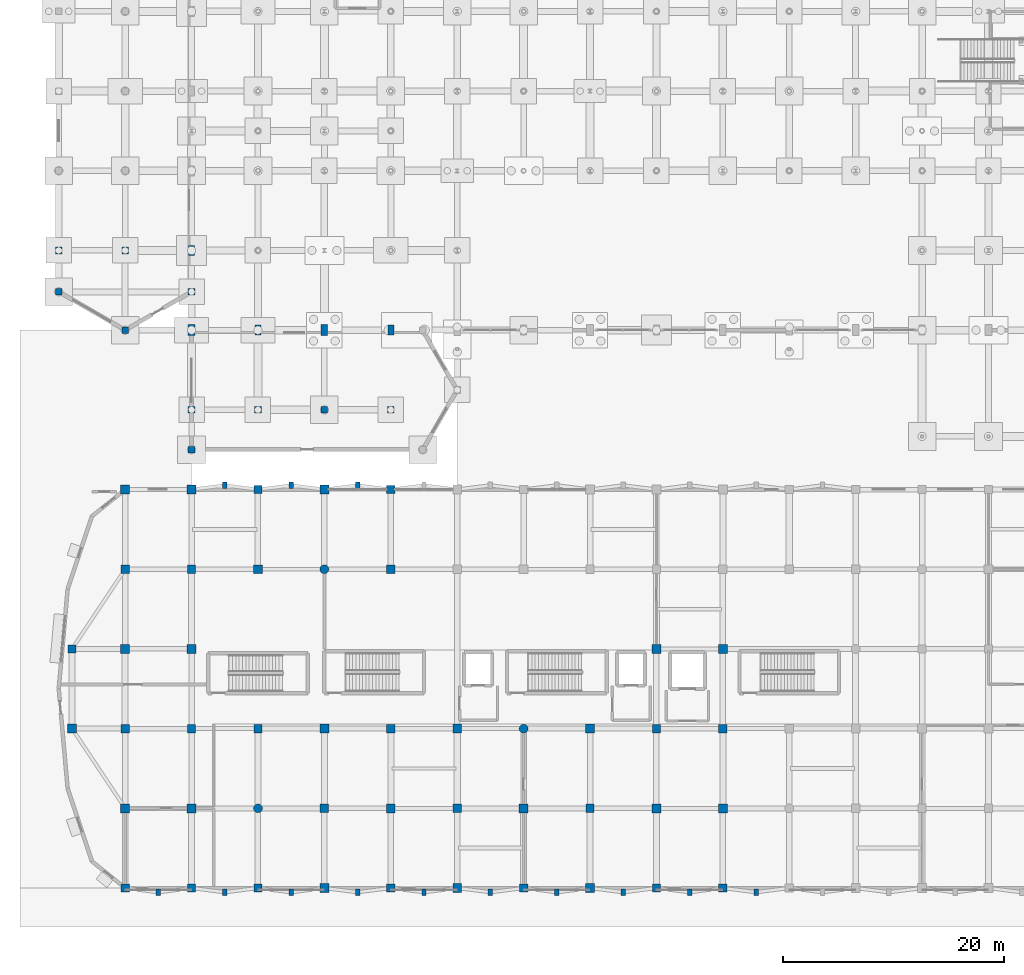
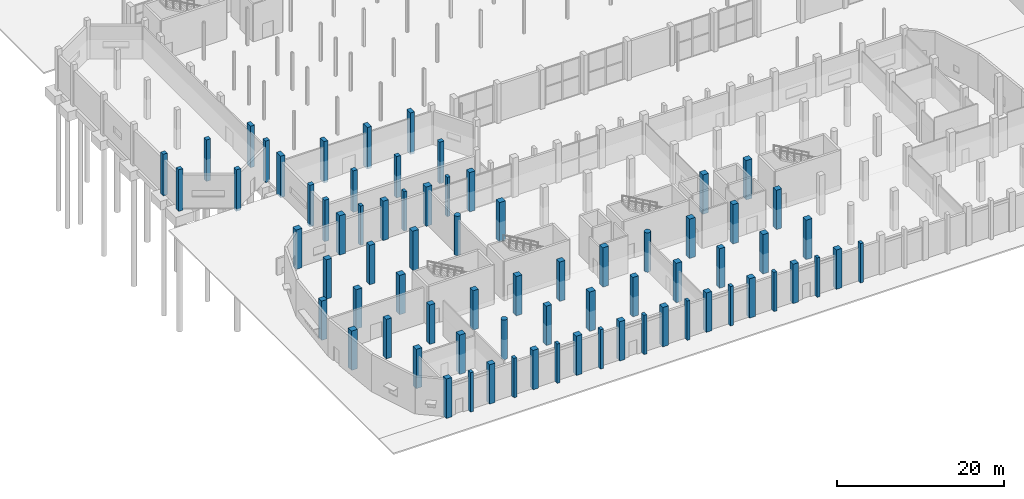
# One storey, part 14 of 103: 74 columns.
"""IFC4 building model written with IfcOpenShell, lengths in metres."""

from ifc_helpers import new_model, si_unit, direction, frame, origin, origin_2d, place, context, subcontext, project, spatial, rectangle, circle, extrude, material, material_profile, profile_set, type_object, element, save


model = new_model("IFC4")

# Units and contexts
model_context = context("Model", 3, precision=1e-05, world=origin(), true_north=direction((0.0, 1.0)))
body_context = subcontext(model_context, "Body", "Model", "MODEL_VIEW")
ifc_project = project(units=[si_unit("LENGTHUNIT", "METRE"), si_unit("AREAUNIT", "SQUARE_METRE"), si_unit("VOLUMEUNIT", "CUBIC_METRE"), si_unit("PLANEANGLEUNIT", "RADIAN"), si_unit("MASSUNIT", "GRAM", prefix="KILO")], contexts=[model_context])

# Site, building, storey
site_placement = place(None, origin())
site = spatial("IfcSite", under=ifc_project, at=site_placement, CompositionType="ELEMENT")
building_placement = place(site_placement, origin())
building = spatial("IfcBuilding", under=site, at=building_placement, Name="Dunvalen Ferry Terminal", CompositionType="ELEMENT")
storey_placement = place(building_placement, origin())
storey = spatial("IfcBuildingStorey", under=building, at=storey_placement, Name="L00", CompositionType="ELEMENT", Elevation=0.0)

# Columns
ifc_material = material(Name="Concrete C40/50", Category="concrete")
ifc_material_profile_1 = material_profile(ifc_material, circle(Radius=0.39990234375, at=origin_2d()), Name="Concrete C40/50")
ifc_profile_set_1 = profile_set([ifc_material_profile_1], Name="Concrete C40/50")
column_type_1 = type_object("IfcColumnType", Name="STR-COL-D800", PredefinedType="COLUMN", material=ifc_profile_set_1)
for number, where, z_axis, x_axis, name in (
    (1, (18.0, 7.199951171875, 0.0), (0.0, 0.0, 1.0), (1.0, 0.0, 0.0), "L00 Maritime Wing Column 014"),
    (2, (24.0, 28.800048828125, 0.0), (0.0, 0.0, 1.0), (1.0, 0.0, 0.0), "L00 Maritime Wing Column 021"),
    (3, (42.0, 14.39990234375, 0.0), (0.0, 0.0, 1.0), (1.0, 0.0, 0.0), "L00 Maritime Wing Column 035"),
):
    element("IfcColumn", number, at=place(storey_placement, frame(where, z_axis=z_axis, x_axis=x_axis)), inside=storey, type_object=column_type_1, Name=name, PredefinedType="COLUMN", context=body_context, shape_type="SweptSolid", body=[
        extrude(circle(Radius=0.39990234375, at=origin_2d()), origin(), (0.0, 0.0, 1.0), 5.760009765625),
    ])
ifc_material_profile_2 = material_profile(ifc_material, rectangle(XDim=0.60009765625, YDim=1.0, at=origin_2d()), Name="Concrete C40/50")
ifc_profile_set_2 = profile_set([ifc_material_profile_2], Name="Concrete C40/50")
column_type_2 = type_object("IfcColumnType", Name="STR-COL-PIER1000", PredefinedType="COLUMN", material=ifc_profile_set_2)
for number, where, z_axis, x_axis, name in (
    (4, (12.0, 50.39990234375, -0.320068359375), (0.0, 0.0, 1.0), (1.0, 0.0, 0.0), "L00 Departure Hall Perimeter Pier 01"),
    (5, (24.0, 50.39990234375, -0.320068359375), (0.0, 0.0, 1.0), (1.0, 0.0, 0.0), "L00 Departure Hall Perimeter Pier 03"),
):
    element("IfcColumn", number, at=place(storey_placement, frame(where, z_axis=z_axis, x_axis=x_axis)), inside=storey, type_object=column_type_2, Name=name, PredefinedType="COLUMN", context=body_context, shape_type="SweptSolid", body=[
        extrude(rectangle(XDim=0.60009765625, YDim=1.0, at=origin_2d()), origin(), (0.0, 0.0, 1.0), 6.080078125),
    ])
ifc_material_profile_3 = material_profile(ifc_material, rectangle(XDim=0.550048828125, YDim=0.89990234375, at=origin_2d()), Name="Concrete C40/50")
ifc_profile_set_3 = profile_set([ifc_material_profile_3], Name="Concrete C40/50")
column_type_3 = type_object("IfcColumnType", Name="STR-COL-PIER900", PredefinedType="COLUMN", material=ifc_profile_set_3)
for number, where, z_axis, x_axis, name in (
    (6, (18.0, 50.39990234375, -0.320068359375), (0.0, 0.0, 1.0), (1.0, 0.0, 0.0), "L00 Departure Hall Perimeter Pier 02"),
    (7, (30.0, 50.39990234375, -0.320068359375), (0.0, 0.0, 1.0), (1.0, 0.0, 0.0), "L00 Departure Hall Perimeter Pier 04"),
    (8, (12.0, 57.60009765625, -0.320068359375), (0.0, 0.0, 1.0), (1.0, 0.0, 0.0), "L00 Departure Hall Perimeter Pier 31"),
):
    element("IfcColumn", number, at=place(storey_placement, frame(where, z_axis=z_axis, x_axis=x_axis)), inside=storey, type_object=column_type_3, Name=name, PredefinedType="COLUMN", context=body_context, shape_type="SweptSolid", body=[
        extrude(rectangle(XDim=0.550048828125, YDim=0.89990234375, at=origin_2d()), origin(), (0.0, 0.0, 1.0), 6.080078125),
    ])
ifc_material_profile_4 = material_profile(ifc_material, rectangle(XDim=0.60009765625, YDim=0.60009765625, at=origin_2d()), Name="Concrete C40/50")
ifc_profile_set_4 = profile_set([ifc_material_profile_4], Name="Concrete C40/50")
column_type_4 = type_object("IfcColumnType", Name="STR-COL-RC600", PredefinedType="COLUMN", material=ifc_profile_set_4)
for number, where, z_axis, x_axis, name in (
    (9, (0.0, 53.864013671875, -0.320068359375), (0.0, 0.0, 1.0), (1.0, 0.0, 0.0), "L00 West Baggage Annex Column 01"),
    (10, (0.0, 57.60009765625, -0.320068359375), (0.0, 0.0, 1.0), (1.0, 0.0, 0.0), "L00 West Baggage Annex Column 02"),
    (11, (6.0, 50.39990234375, -0.320068359375), (0.0, 0.0, 1.0), (1.0, 0.0, 0.0), "L00 West Baggage Annex Column 07"),
    (12, (6.0, 57.60009765625, -0.320068359375), (0.0, 0.0, 1.0), (1.0, 0.0, 0.0), "L00 West Baggage Annex Column 08"),
    (13, (12.0, 53.864013671875, -0.320068359375), (0.0, 0.0, 1.0), (1.0, 0.0, 0.0), "L00 West Baggage Annex Column 13"),
    (14, (12.0, 39.60009765625, -0.320068359375), (0.0, 0.0, 1.0), (1.0, 0.0, 0.0), "L00 South-West Security Annex Column 01"),
    (15, (12.0, 43.199951171875, -0.320068359375), (0.0, 0.0, 1.0), (1.0, 0.0, 0.0), "L00 South-West Security Annex Column 02"),
    (16, (18.0, 43.199951171875, -0.320068359375), (0.0, 0.0, 1.0), (1.0, 0.0, 0.0), "L00 South-West Security Annex Column 04"),
    (17, (24.0, 43.199951171875, -0.320068359375), (0.0, 0.0, 1.0), (1.0, 0.0, 0.0), "L00 South-West Security Annex Column 06"),
    (18, (30.0, 43.199951171875, -0.320068359375), (0.0, 0.0, 1.0), (1.0, 0.0, 0.0), "L00 South-West Security Annex Column 08"),
):
    element("IfcColumn", number, at=place(storey_placement, frame(where, z_axis=z_axis, x_axis=x_axis)), inside=storey, type_object=column_type_4, Name=name, PredefinedType="COLUMN", context=body_context, shape_type="SweptSolid", body=[
        extrude(rectangle(XDim=0.60009765625, YDim=0.60009765625, at=origin_2d()), origin(), (0.0, 0.0, 1.0), 6.080078125),
    ])
ifc_material_profile_5 = material_profile(ifc_material, rectangle(XDim=0.75, YDim=0.75, at=origin_2d()), Name="Concrete C40/50")
ifc_profile_set_5 = profile_set([ifc_material_profile_5], Name="Concrete C40/50")
column_type_5 = type_object("IfcColumnType", Name="STR-COL-RC750", PredefinedType="COLUMN", material=ifc_profile_set_5)
for number, where, z_axis, x_axis, name in (
    (19, (6.0, 0.0, 0.0), (0.0, 0.0, 1.0), (1.0, 0.0, 0.0), "L00 Maritime Wing Column 001"),
    (20, (6.0, 14.39990234375, 0.0), (0.0, 0.0, 1.0), (1.0, 0.0, 0.0), "L00 Maritime Wing Column 003"),
    (21, (6.0, 28.800048828125, 0.0), (0.0, 0.0, 1.0), (1.0, 0.0, 0.0), "L00 Maritime Wing Column 005"),
    (22, (12.0, 0.0, 0.0), (0.0, 0.0, 1.0), (1.0, 0.0, 0.0), "L00 Maritime Wing Column 007"),
    (23, (12.0, 14.39990234375, 0.0), (0.0, 0.0, 1.0), (1.0, 0.0, 0.0), "L00 Maritime Wing Column 009"),
    (24, (12.0, 28.800048828125, 0.0), (0.0, 0.0, 1.0), (1.0, 0.0, 0.0), "L00 Maritime Wing Column 011"),
    (25, (18.0, 0.0, 0.0), (0.0, 0.0, 1.0), (1.0, 0.0, 0.0), "L00 Maritime Wing Column 013"),
    (26, (18.0, 14.39990234375, 0.0), (0.0, 0.0, 1.0), (1.0, 0.0, 0.0), "L00 Maritime Wing Column 015"),
    (27, (18.0, 36.0, 0.0), (0.0, 0.0, 1.0), (1.0, 0.0, 0.0), "L00 Maritime Wing Column 017"),
    (28, (24.0, 7.199951171875, 0.0), (0.0, 0.0, 1.0), (1.0, 0.0, 0.0), "L00 Maritime Wing Column 019"),
    (29, (30.0, 0.0, 0.0), (0.0, 0.0, 1.0), (1.0, 0.0, 0.0), "L00 Maritime Wing Column 023"),
    (30, (30.0, 14.39990234375, 0.0), (0.0, 0.0, 1.0), (1.0, 0.0, 0.0), "L00 Maritime Wing Column 025"),
    (31, (30.0, 36.0, 0.0), (0.0, 0.0, 1.0), (1.0, 0.0, 0.0), "L00 Maritime Wing Column 027"),
    (32, (36.0, 7.199951171875, 0.0), (0.0, 0.0, 1.0), (1.0, 0.0, 0.0), "L00 Maritime Wing Column 029"),
    (33, (42.0, 0.0, 0.0), (0.0, 0.0, 1.0), (1.0, 0.0, 0.0), "L00 Maritime Wing Column 033"),
    (34, (48.0, 7.199951171875, 0.0), (0.0, 0.0, 1.0), (1.0, 0.0, 0.0), "L00 Maritime Wing Column 039"),
    (35, (54.0, 0.0, 0.0), (0.0, 0.0, 1.0), (1.0, 0.0, 0.0), "L00 Maritime Wing Column 043"),
    (36, (54.0, 14.39990234375, 0.0), (0.0, 0.0, 1.0), (1.0, 0.0, 0.0), "L00 Maritime Wing Column 045"),
    (37, (60.0, 0.0, 0.0), (0.0, 0.0, 1.0), (1.0, 0.0, 0.0), "L00 Maritime Wing Column 049"),
    (38, (60.0, 14.39990234375, 0.0), (0.0, 0.0, 1.0), (1.0, 0.0, 0.0), "L00 Maritime Wing Column 051"),
    (39, (1.199951171875, 21.60009765625, 0.0), (0.0, 0.0, 1.0), (1.0, 0.0, 0.0), "L00 Maritime Wing Column 085"),
):
    element("IfcColumn", number, at=place(storey_placement, frame(where, z_axis=z_axis, x_axis=x_axis)), inside=storey, type_object=column_type_5, Name=name, PredefinedType="COLUMN", context=body_context, shape_type="SweptSolid", body=[
        extrude(rectangle(XDim=0.75, YDim=0.75, at=origin_2d()), origin(), (0.0, 0.0, 1.0), 5.760009765625),
    ])
ifc_material_profile_6 = material_profile(ifc_material, rectangle(XDim=0.800048828125, YDim=0.800048828125, at=origin_2d()), Name="Concrete C40/50")
ifc_profile_set_6 = profile_set([ifc_material_profile_6], Name="Concrete C40/50")
column_type_6 = type_object("IfcColumnType", Name="STR-COL-RC800", PredefinedType="COLUMN", material=ifc_profile_set_6)
for number, where, z_axis, x_axis, name in (
    (40, (6.0, 7.199951171875, 0.0), (0.0, 0.0, 1.0), (1.0, 0.0, 0.0), "L00 Maritime Wing Column 002"),
    (41, (6.0, 21.60009765625, 0.0), (0.0, 0.0, 1.0), (1.0, 0.0, 0.0), "L00 Maritime Wing Column 004"),
    (42, (6.0, 36.0, 0.0), (0.0, 0.0, 1.0), (1.0, 0.0, 0.0), "L00 Maritime Wing Column 006"),
    (43, (12.0, 7.199951171875, 0.0), (0.0, 0.0, 1.0), (1.0, 0.0, 0.0), "L00 Maritime Wing Column 008"),
    (44, (12.0, 21.60009765625, 0.0), (0.0, 0.0, 1.0), (1.0, 0.0, 0.0), "L00 Maritime Wing Column 010"),
    (45, (12.0, 36.0, 0.0), (0.0, 0.0, 1.0), (1.0, 0.0, 0.0), "L00 Maritime Wing Column 012"),
    (46, (18.0, 28.800048828125, 0.0), (0.0, 0.0, 1.0), (1.0, 0.0, 0.0), "L00 Maritime Wing Column 016"),
    (47, (24.0, 0.0, 0.0), (0.0, 0.0, 1.0), (1.0, 0.0, 0.0), "L00 Maritime Wing Column 018"),
    (48, (24.0, 14.39990234375, 0.0), (0.0, 0.0, 1.0), (1.0, 0.0, 0.0), "L00 Maritime Wing Column 020"),
    (49, (24.0, 36.0, 0.0), (0.0, 0.0, 1.0), (1.0, 0.0, 0.0), "L00 Maritime Wing Column 022"),
    (50, (30.0, 7.199951171875, 0.0), (0.0, 0.0, 1.0), (1.0, 0.0, 0.0), "L00 Maritime Wing Column 024"),
    (51, (30.0, 28.800048828125, 0.0), (0.0, 0.0, 1.0), (1.0, 0.0, 0.0), "L00 Maritime Wing Column 026"),
    (52, (36.0, 0.0, 0.0), (0.0, 0.0, 1.0), (1.0, 0.0, 0.0), "L00 Maritime Wing Column 028"),
    (53, (36.0, 14.39990234375, 0.0), (0.0, 0.0, 1.0), (1.0, 0.0, 0.0), "L00 Maritime Wing Column 030"),
    (54, (42.0, 7.199951171875, 0.0), (0.0, 0.0, 1.0), (1.0, 0.0, 0.0), "L00 Maritime Wing Column 034"),
    (55, (48.0, 0.0, 0.0), (0.0, 0.0, 1.0), (1.0, 0.0, 0.0), "L00 Maritime Wing Column 038"),
    (56, (48.0, 14.39990234375, 0.0), (0.0, 0.0, 1.0), (1.0, 0.0, 0.0), "L00 Maritime Wing Column 040"),
    (57, (54.0, 7.199951171875, 0.0), (0.0, 0.0, 1.0), (1.0, 0.0, 0.0), "L00 Maritime Wing Column 044"),
    (58, (54.0, 21.60009765625, 0.0), (0.0, 0.0, 1.0), (1.0, 0.0, 0.0), "L00 Maritime Wing Column 046"),
    (59, (60.0, 7.199951171875, 0.0), (0.0, 0.0, 1.0), (1.0, 0.0, 0.0), "L00 Maritime Wing Column 050"),
    (60, (60.0, 21.60009765625, 0.0), (0.0, 0.0, 1.0), (1.0, 0.0, 0.0), "L00 Maritime Wing Column 052"),
    (61, (1.199951171875, 14.39990234375, 0.0), (0.0, 0.0, 1.0), (1.0, 0.0, 0.0), "L00 Maritime Wing Column 084"),
):
    element("IfcColumn", number, at=place(storey_placement, frame(where, z_axis=z_axis, x_axis=x_axis)), inside=storey, type_object=column_type_6, Name=name, PredefinedType="COLUMN", context=body_context, shape_type="SweptSolid", body=[
        extrude(rectangle(XDim=0.800048828125, YDim=0.800048828125, at=origin_2d()), origin(), (0.0, 0.0, 1.0), 5.760009765625),
    ])
ifc_material_profile_7 = material_profile(ifc_material, rectangle(XDim=0.39990234375, YDim=0.60009765625, at=origin_2d()), Name="Concrete C40/50")
ifc_profile_set_7 = profile_set([ifc_material_profile_7], Name="Concrete C40/50")
column_type_7 = type_object("IfcColumnType", Name="STR-PIL-400x600", PredefinedType="PILASTER", material=ifc_profile_set_7)
for number, where, z_axis, x_axis, name in (
    (62, (9.0, -0.3798828125, 0.0), (0.0, 0.0, 1.0), (1.0, 0.0, 0.0), "L00 South Forecourt Pilaster 01"),
    (63, (15.0, -0.3798828125, 0.0), (0.0, 0.0, 1.0), (1.0, 0.0, 0.0), "L00 South Forecourt Pilaster 02"),
    (64, (21.0, -0.3798828125, 0.0), (0.0, 0.0, 1.0), (1.0, 0.0, 0.0), "L00 South Forecourt Pilaster 03"),
    (65, (27.0, -0.3798828125, 0.0), (0.0, 0.0, 1.0), (1.0, 0.0, 0.0), "L00 South Forecourt Pilaster 04"),
    (66, (33.0, -0.3798828125, 0.0), (0.0, 0.0, 1.0), (1.0, 0.0, 0.0), "L00 South Forecourt Pilaster 05"),
    (67, (39.0, -0.3798828125, 0.0), (0.0, 0.0, 1.0), (1.0, 0.0, 0.0), "L00 South Forecourt Pilaster 06"),
    (68, (45.0, -0.3798828125, 0.0), (0.0, 0.0, 1.0), (1.0, 0.0, 0.0), "L00 South Forecourt Pilaster 07"),
    (69, (51.0, -0.3798828125, 0.0), (0.0, 0.0, 1.0), (1.0, 0.0, 0.0), "L00 South Forecourt Pilaster 08"),
    (70, (57.0, -0.3798828125, 0.0), (0.0, 0.0, 1.0), (1.0, 0.0, 0.0), "L00 South Forecourt Pilaster 09"),
    (71, (63.0, -0.3798828125, 0.0), (0.0, 0.0, 1.0), (1.0, 0.0, 0.0), "L00 South Forecourt Pilaster 10"),
    (72, (15.0, 36.3798828125, 0.0), (0.0, 0.0, 1.0), (1.0, 0.0, 0.0), "L00 North Passage Pilaster 01"),
    (73, (21.0, 36.3798828125, 0.0), (0.0, 0.0, 1.0), (1.0, 0.0, 0.0), "L00 North Passage Pilaster 02"),
    (74, (27.0, 36.3798828125, 0.0), (0.0, 0.0, 1.0), (1.0, 0.0, 0.0), "L00 North Passage Pilaster 03"),
):
    element("IfcColumn", number, at=place(storey_placement, frame(where, z_axis=z_axis, x_axis=x_axis)), inside=storey, type_object=column_type_7, Name=name, PredefinedType="PILASTER", context=body_context, shape_type="SweptSolid", body=[
        extrude(rectangle(XDim=0.39990234375, YDim=0.60009765625, at=origin_2d()), origin(), (0.0, 0.0, 1.0), 5.760009765625),
    ])

save(model, "model.ifc")
